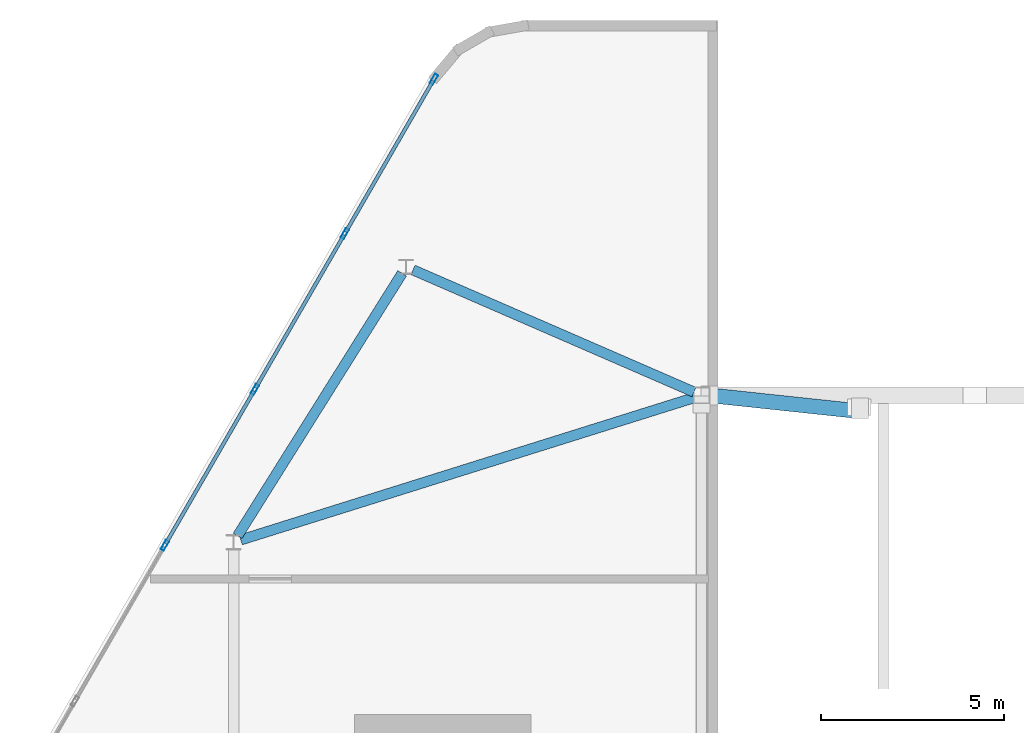
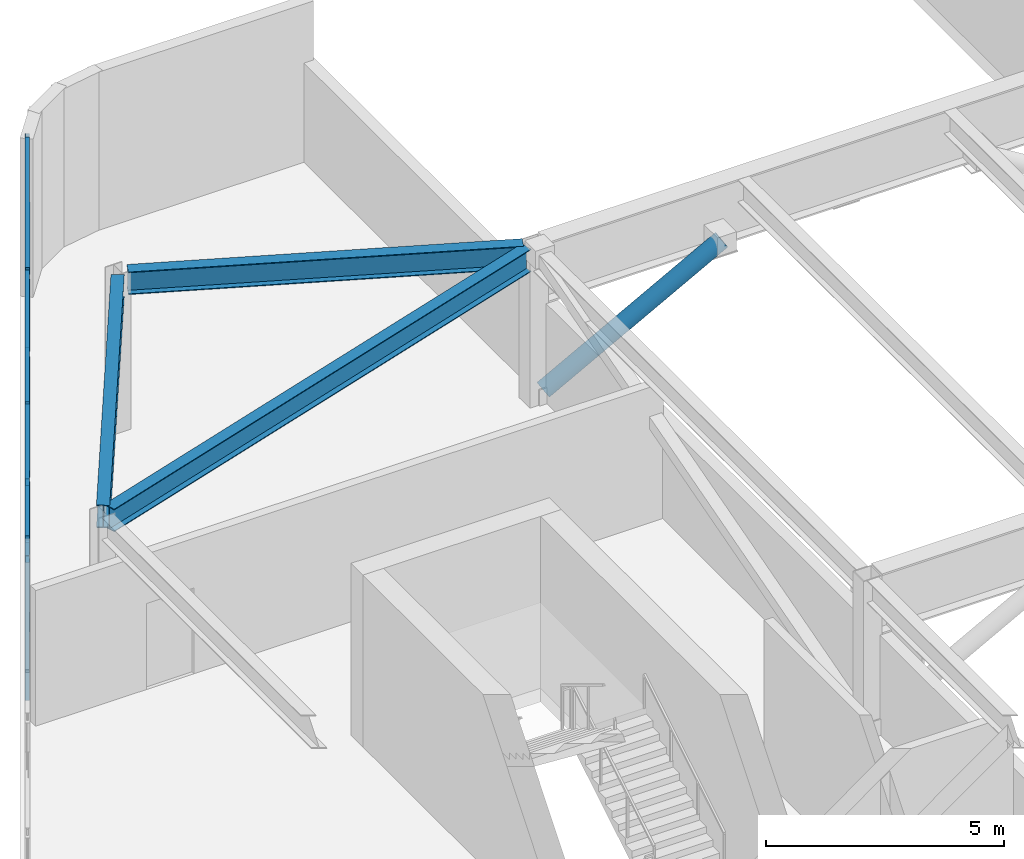
# One storey, part 10 of 16: 14 members, 3 beams, 1 element without a shape of its own.
"""IFC4 building model written with IfcOpenShell, lengths in metres."""

from ifc_helpers import new_model, si_unit, direction, frame, origin, origin_2d, place, context, subcontext, project, spatial, hollow_rectangle, hollow_circle, i_section, extrude, material, material_profile, profile_set, type_object, element, aggregate, save


model = new_model("IFC4")

# Units and contexts
model_context = context("Model", 3, precision=1e-05, world=origin(), true_north=direction((0.0, 1.0)))
body_context = subcontext(model_context, "Body", "Model", "MODEL_VIEW")
ifc_project = project(units=[si_unit("LENGTHUNIT", "METRE"), si_unit("AREAUNIT", "SQUARE_METRE"), si_unit("VOLUMEUNIT", "CUBIC_METRE"), si_unit("PLANEANGLEUNIT", "RADIAN"), si_unit("MASSUNIT", "GRAM", prefix="KILO")], contexts=[model_context])

# Site, building, storey
site_placement = place(None, origin())
site = spatial("IfcSite", under=ifc_project, at=site_placement, CompositionType="ELEMENT")
building_placement = place(site_placement, origin())
building = spatial("IfcBuilding", under=site, at=building_placement, Name="Zuhravey Tower", CompositionType="ELEMENT")
storey_placement = place(building_placement, frame((0.0, 0.0, 374.60009765625)))
storey = spatial("IfcBuildingStorey", under=building, at=storey_placement, Name="L95", CompositionType="ELEMENT", Elevation=374.60009765625)

# Curtain wall, members
ifc_material_1 = material(Name="Thermally broken anodised aluminium", Category="aluminium")
curtain_wall_type = type_object("IfcCurtainWallType", Name="Split-Top Crown Screened Curtain Wall CW6", PredefinedType="NOTDEFINED", material=ifc_material_1)
curtain_wall_placement = place(storey_placement, origin())
curtain_wall = element("IfcCurtainWall", 1, at=curtain_wall_placement, inside=storey, type_object=curtain_wall_type, Name="L95 CW6 CW6-L95-WEST-08", PredefinedType="NOTDEFINED")
ifc_material_2 = material(Name="Anodised aluminium", Category="aluminium")
ifc_material_profile_1 = material_profile(ifc_material_2, hollow_rectangle(XDim=0.10009765625, YDim=0.2900390625, WallThickness=0.006103515625, at=origin_2d()), Name="ALU-RHS-100x290x6")
ifc_profile_set_1 = profile_set([ifc_material_profile_1], Name="Anodised aluminium")
member_type_1 = type_object("IfcMemberType", Name="Heavy Tall-Storey Mullion 100x220", PredefinedType="MULLION", material=ifc_profile_set_1)
member_1_placement = place(storey_placement, frame((13.9248046875, 41.912841796875, 0.0), z_axis=(0.0, 0.0, 1.0), x_axis=(-0.866027063754, 0.499997124838, 0.0)))
member_1 = element("IfcMember", 2, at=member_1_placement, type_object=member_type_1, Name="CW6 mullion 3", PredefinedType="MULLION", context=body_context, shape_type="SweptSolid", body=[
    extrude(hollow_rectangle(XDim=0.10009765625, YDim=0.2900390625, WallThickness=0.006103515625, at=origin_2d()), origin(), (0.0, 0.0, 1.0), 4.0498046875),
])
member_2_placement = place(storey_placement, frame((16.377685546875, 46.161376953125, 0.0), z_axis=(0.0, 0.0, 1.0), x_axis=(-0.866027063754, 0.499997124838, 0.0)))
member_2 = element("IfcMember", 3, at=member_2_placement, type_object=member_type_1, Name="CW6 mullion 4", PredefinedType="MULLION", context=body_context, shape_type="SweptSolid", body=[
    extrude(hollow_rectangle(XDim=0.10009765625, YDim=0.2900390625, WallThickness=0.006103515625, at=origin_2d()), origin(), (0.0, 0.0, 1.0), 4.0498046875),
])
member_3_placement = place(storey_placement, frame((18.83056640625, 50.409912109375, 0.0), z_axis=(0.0, 0.0, 1.0), x_axis=(-0.866027063754, 0.499997124838, 0.0)))
member_3 = element("IfcMember", 4, at=member_3_placement, type_object=member_type_1, Name="CW6 mullion 5", PredefinedType="MULLION", context=body_context, shape_type="SweptSolid", body=[
    extrude(hollow_rectangle(XDim=0.10009765625, YDim=0.2900390625, WallThickness=0.006103515625, at=origin_2d()), origin(), (0.0, 0.0, 1.0), 4.0498046875),
])
member_4_placement = place(storey_placement, frame((21.258544921875, 54.615234375, 0.0), z_axis=(0.0, 0.0, 1.0), x_axis=(-0.866027063754, 0.499997124838, 0.0)))
member_4 = element("IfcMember", 5, at=member_4_placement, type_object=member_type_1, Name="CW6 mullion 6", PredefinedType="MULLION", context=body_context, shape_type="SweptSolid", body=[
    extrude(hollow_rectangle(XDim=0.10009765625, YDim=0.2900390625, WallThickness=0.006103515625, at=origin_2d()), origin(), (0.0, 0.0, 1.0), 4.0498046875),
])

# Beams
ifc_material_3 = material(Name="Steel SM355", Category="steel")
ifc_material_profile_2 = material_profile(ifc_material_3, i_section(OverallWidth=0.280029296875, OverallDepth=0.580078125, WebThickness=0.011962890625, FlangeThickness=0.01904296875, at=origin_2d()), Name="H-580x280x12x19")
ifc_profile_set_2 = profile_set([ifc_material_profile_2], Name="Steel SM355")
beam_type = type_object("IfcBeamType", Name="Perimeter Ring Beam H580x280", PredefinedType="BEAM", material=ifc_profile_set_2)
beam_1_placement = place(storey_placement, frame((15.908447265625, 42.1728515625, 3.760009765625), z_axis=(0.530996685116, 0.847373896457, 0.0), x_axis=(-0.847373896457, 0.530996685116, 0.0)))
element("IfcBeam", 6, at=beam_1_placement, inside=storey, type_object=beam_type, Name="L95 PB4 BM-L95-WCR-1-3", PredefinedType="BEAM", context=body_context, shape_type="SweptSolid", body=[
    extrude(i_section(OverallWidth=0.280029296875, OverallDepth=0.580078125, WebThickness=0.011962890625, FlangeThickness=0.01904296875, at=origin_2d()), origin(), (0.0, 0.0, 1.0), 8.44287109375),
])
beam_2_placement = place(storey_placement, frame((20.68701171875, 49.418701171875, 3.760009765625), z_axis=(0.91707145158, -0.398722902147, 0.0), x_axis=(0.398722902147, 0.91707145158, 0.0)))
element("IfcBeam", 7, at=beam_2_placement, inside=storey, type_object=beam_type, Name="L95 PB4 BM-L95-WCR-3-6", PredefinedType="BEAM", context=body_context, shape_type="SweptSolid", body=[
    extrude(i_section(OverallWidth=0.280029296875, OverallDepth=0.580078125, WebThickness=0.011962890625, FlangeThickness=0.01904296875, at=origin_2d()), origin(), (0.0, 0.0, 1.0), 8.34521484375),
])
beam_3_placement = place(storey_placement, frame((15.99462890625, 42.06103515625, 3.760009765625), z_axis=(0.954147439285, 0.299337040984, 0.0), x_axis=(-0.299337040984, 0.954147439285, 0.0)))
element("IfcBeam", 8, at=beam_3_placement, inside=storey, type_object=beam_type, Name="L95 PB4 BM-L95-WCR-1-6", PredefinedType="BEAM", context=body_context, shape_type="SweptSolid", body=[
    extrude(i_section(OverallWidth=0.280029296875, OverallDepth=0.580078125, WebThickness=0.011962890625, FlangeThickness=0.01904296875, at=origin_2d()), origin(), (0.0, 0.0, 1.0), 12.9296875),
])

# Member
ifc_material_profile_3 = material_profile(ifc_material_2, hollow_rectangle(XDim=0.10009765625, YDim=0.179931640625, WallThickness=0.006103515625, at=origin_2d()), Name="ALU-RHS-100x180x6")
ifc_profile_set_3 = profile_set([ifc_material_profile_3], Name="Anodised aluminium")
member_type_2 = type_object("IfcMemberType", Name="Tall-Storey Transom 100x180", PredefinedType="USERDEFINED", material=ifc_profile_set_3)
member_5_placement = place(storey_placement, frame((13.94970703125, 41.9560546875, 0.0498046875), z_axis=(0.50003466983, 0.866005386223, 0.0), x_axis=(-0.866005386223, 0.50003466983, 0.0)))
member_5 = element("IfcMember", 9, at=member_5_placement, type_object=member_type_2, Name="CW6 transom 3.1", ObjectType="TRANSOM", PredefinedType="USERDEFINED", context=body_context, shape_type="SweptSolid", body=[
    extrude(hollow_rectangle(XDim=0.10009765625, YDim=0.179931640625, WallThickness=0.006103515625, at=origin_2d()), origin(), (0.0, 0.0, 1.0), 4.805908203125),
])

member_6_placement = place(storey_placement, frame((13.94970703125, 41.9560546875, 2.02490234375), z_axis=(0.50003466983, 0.866005386223, 0.0), x_axis=(-0.866005386223, 0.50003466983, 0.0)))
member_6 = element("IfcMember", 10, at=member_6_placement, type_object=member_type_2, Name="CW6 transom 3.2", ObjectType="TRANSOM", PredefinedType="USERDEFINED", context=body_context, shape_type="SweptSolid", body=[
    extrude(hollow_rectangle(XDim=0.10009765625, YDim=0.179931640625, WallThickness=0.006103515625, at=origin_2d()), origin(), (0.0, 0.0, 1.0), 4.805908203125),
])

member_7_placement = place(storey_placement, frame((13.94970703125, 41.9560546875, 4.0), z_axis=(0.50003466983, 0.866005386223, 0.0), x_axis=(-0.866005386223, 0.50003466983, 0.0)))
member_7 = element("IfcMember", 11, at=member_7_placement, type_object=member_type_2, Name="CW6 transom 3.3", ObjectType="TRANSOM", PredefinedType="USERDEFINED", context=body_context, shape_type="SweptSolid", body=[
    extrude(hollow_rectangle(XDim=0.10009765625, YDim=0.179931640625, WallThickness=0.006103515625, at=origin_2d()), origin(), (0.0, 0.0, 1.0), 4.805908203125),
])

member_8_placement = place(storey_placement, frame((16.402587890625, 46.20458984375, 0.0498046875), z_axis=(0.500012672123, 0.866018087407, 0.0), x_axis=(-0.866018087407, 0.500012672123, 0.0)))
member_8 = element("IfcMember", 12, at=member_8_placement, type_object=member_type_2, Name="CW6 transom 4.1", ObjectType="TRANSOM", PredefinedType="USERDEFINED", context=body_context, shape_type="SweptSolid", body=[
    extrude(hollow_rectangle(XDim=0.10009765625, YDim=0.179931640625, WallThickness=0.006103515625, at=origin_2d()), origin(), (0.0, 0.0, 1.0), 4.80615234375),
])

member_9_placement = place(storey_placement, frame((16.402587890625, 46.20458984375, 2.02490234375), z_axis=(0.500012672123, 0.866018087407, 0.0), x_axis=(-0.866018087407, 0.500012672123, 0.0)))
member_9 = element("IfcMember", 13, at=member_9_placement, type_object=member_type_2, Name="CW6 transom 4.2", ObjectType="TRANSOM", PredefinedType="USERDEFINED", context=body_context, shape_type="SweptSolid", body=[
    extrude(hollow_rectangle(XDim=0.10009765625, YDim=0.179931640625, WallThickness=0.006103515625, at=origin_2d()), origin(), (0.0, 0.0, 1.0), 4.80615234375),
])

member_10_placement = place(storey_placement, frame((16.402587890625, 46.20458984375, 4.0), z_axis=(0.500012672123, 0.866018087407, 0.0), x_axis=(-0.866018087407, 0.500012672123, 0.0)))
member_10 = element("IfcMember", 14, at=member_10_placement, type_object=member_type_2, Name="CW6 transom 4.3", ObjectType="TRANSOM", PredefinedType="USERDEFINED", context=body_context, shape_type="SweptSolid", body=[
    extrude(hollow_rectangle(XDim=0.10009765625, YDim=0.179931640625, WallThickness=0.006103515625, at=origin_2d()), origin(), (0.0, 0.0, 1.0), 4.80615234375),
])

member_11_placement = place(storey_placement, frame((18.855712890625, 50.453125, 0.0498046875), z_axis=(0.499965384433, 0.866045388169, 0.0), x_axis=(-0.866045388169, 0.499965384433, 0.0)))
member_11 = element("IfcMember", 15, at=member_11_placement, type_object=member_type_2, Name="CW6 transom 5.1", ObjectType="TRANSOM", PredefinedType="USERDEFINED", context=body_context, shape_type="SweptSolid", body=[
    extrude(hollow_rectangle(XDim=0.10009765625, YDim=0.179931640625, WallThickness=0.006103515625, at=origin_2d()), origin(), (0.0, 0.0, 1.0), 4.755615234375),
])

member_12_placement = place(storey_placement, frame((18.855712890625, 50.453125, 2.02490234375), z_axis=(0.499965384433, 0.866045388169, 0.0), x_axis=(-0.866045388169, 0.499965384433, 0.0)))
member_12 = element("IfcMember", 16, at=member_12_placement, type_object=member_type_2, Name="CW6 transom 5.2", ObjectType="TRANSOM", PredefinedType="USERDEFINED", context=body_context, shape_type="SweptSolid", body=[
    extrude(hollow_rectangle(XDim=0.10009765625, YDim=0.179931640625, WallThickness=0.006103515625, at=origin_2d()), origin(), (0.0, 0.0, 1.0), 4.755615234375),
])

member_13_placement = place(storey_placement, frame((18.855712890625, 50.453125, 4.0), z_axis=(0.499965384433, 0.866045388169, 0.0), x_axis=(-0.866045388169, 0.499965384433, 0.0)))
member_13 = element("IfcMember", 17, at=member_13_placement, type_object=member_type_2, Name="CW6 transom 5.3", ObjectType="TRANSOM", PredefinedType="USERDEFINED", context=body_context, shape_type="SweptSolid", body=[
    extrude(hollow_rectangle(XDim=0.10009765625, YDim=0.179931640625, WallThickness=0.006103515625, at=origin_2d()), origin(), (0.0, 0.0, 1.0), 4.755615234375),
])

aggregate(curtain_wall, [member_1, member_2, member_3, member_4, member_5, member_6, member_7, member_8, member_9, member_10, member_11, member_12, member_13])

ifc_material_profile_4 = material_profile(ifc_material_3, hollow_circle(Radius=0.203125, WallThickness=0.02001953125, at=origin_2d()), Name="CHS-406.4x20")
ifc_profile_set_4 = profile_set([ifc_material_profile_4], Name="Steel SM355")
member_type_3 = type_object("IfcMemberType", Name="Wind-Portal Arch Brace CHS406x20", PredefinedType="BRACE", material=ifc_profile_set_4)
member_14_placement = place(storey_placement, frame((28.78076171875, 45.999755859375, 0.180908203125), z_axis=(0.831960983214, -0.088484176355, 0.547733030723), x_axis=(0.105759685753, 0.994391718021, 0.0)))
element("IfcMember", 18, at=member_14_placement, inside=storey, type_object=member_type_3, Name="L95 Wind-Portal Arch Brace WPB1-3W", PredefinedType="BRACE", context=body_context, shape_type="SweptSolid", body=[
    extrude(hollow_circle(Radius=0.203125, WallThickness=0.02001953125, at=origin_2d()), origin(), (0.0, 0.0, 1.0), 4.88916015625),
])

save(model, "model.ifc")
